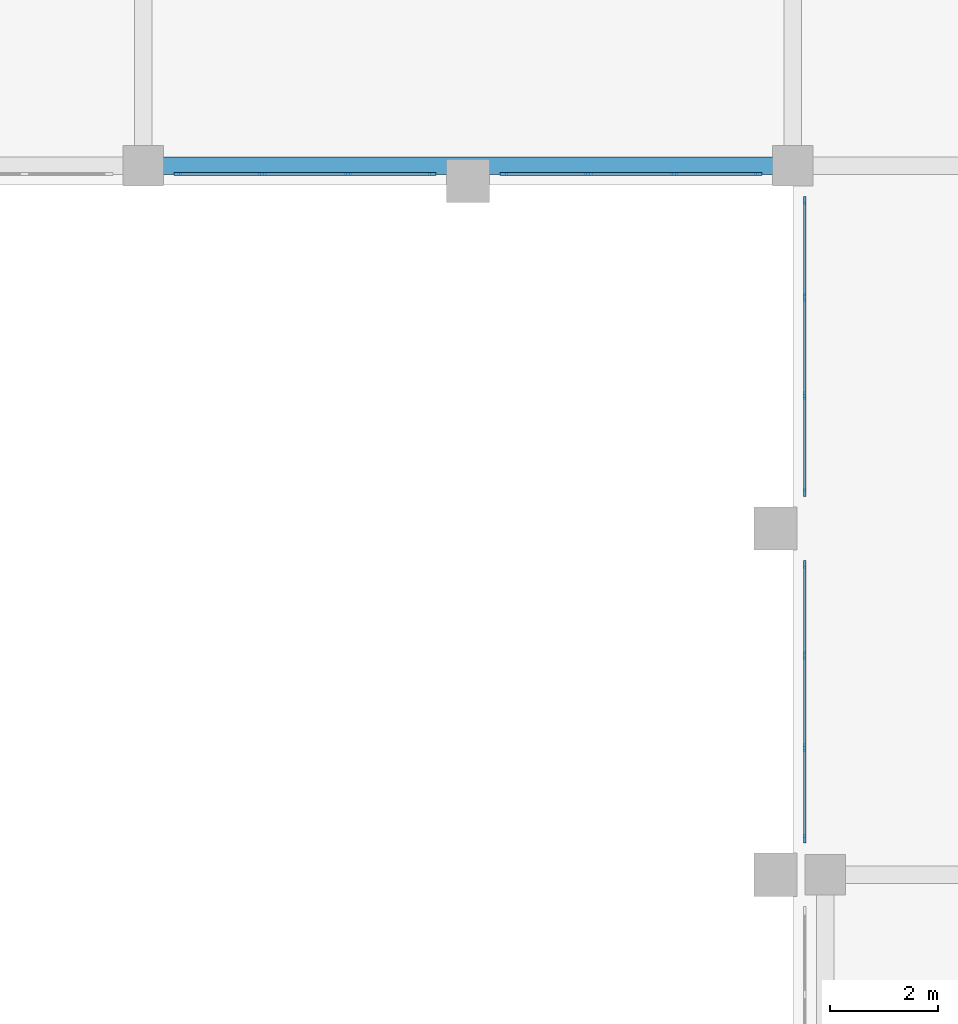
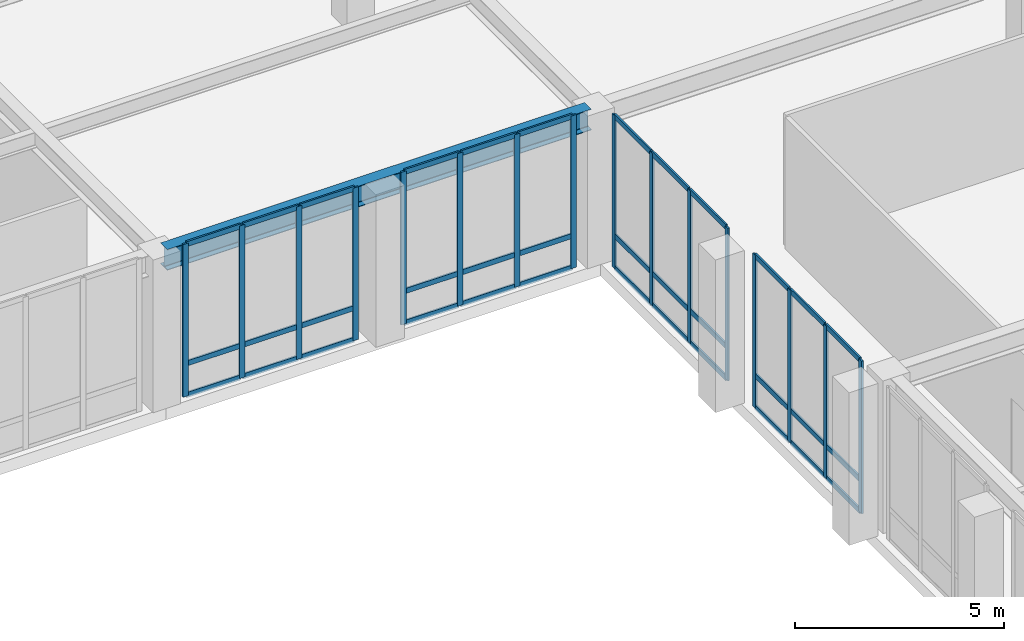
# One storey, part 39 of 79: 52 members, 1 beam, 4 elements without a shape of their own.
"""IFC4 building model written with IfcOpenShell, lengths in metres."""

from ifc_helpers import new_model, si_unit, derived_unit, direction, frame, origin, origin_2d, place, context, subcontext, project, spatial, rectangle, i_section, extrude, material, layer, layer_set, material_profile, profile_set, type_object, element, aggregate, save


model = new_model("IFC4")

# Units and contexts
model_context = context("Model", 3, precision=1e-05, world=origin(), true_north=direction((0.0, 1.0)))
body_context = subcontext(model_context, "Body", "Model", "MODEL_VIEW")
ifc_project = project(units=[si_unit("LENGTHUNIT", "METRE"), si_unit("AREAUNIT", "SQUARE_METRE"), si_unit("VOLUMEUNIT", "CUBIC_METRE"), si_unit("PLANEANGLEUNIT", "RADIAN"), si_unit("MASSUNIT", "GRAM", prefix="KILO"), derived_unit("THERMALTRANSMITTANCEUNIT", [(si_unit("MASSUNIT", "GRAM", prefix="KILO"), 1), (si_unit("TIMEUNIT", "SECOND"), -3), (si_unit("THERMODYNAMICTEMPERATUREUNIT", "KELVIN"), -1)])], contexts=[model_context])

# Site, building, storey
site_placement = place(None, origin())
site = spatial("IfcSite", under=ifc_project, at=site_placement, CompositionType="ELEMENT")
building_placement = place(site_placement, origin())
building = spatial("IfcBuilding", under=site, at=building_placement, Name="Valcora Ridge Arena", CompositionType="ELEMENT")
storey_placement = place(building_placement, frame((0.0, 0.0, 16.199951171875)))
storey = spatial("IfcBuildingStorey", under=building, at=storey_placement, Name="L03", CompositionType="ELEMENT", Elevation=16.199951171875)

# Beam
ifc_material_1 = material(Name="Steel ASTM A572 Grade 50", Category="steel")
ifc_material_profile_1 = material_profile(ifc_material_1, i_section(OverallWidth=0.324951171875, OverallDepth=0.612060546875, WebThickness=0.0126953125, FlangeThickness=0.01904296875, FilletRadius=0.01806640625, at=origin_2d()), Name="W24X104")
ifc_profile_set_1 = profile_set([ifc_material_profile_1], Name="Steel ASTM A572 Grade 50")
beam_type = type_object("IfcBeamType", Name="TY-BEAM-G-W24X104-X", PredefinedType="BEAM", material=ifc_profile_set_1)
beam_placement = place(storey_placement, frame((144.139892578125, 108.699951171875, 4.154052734375), z_axis=(1.0, 0.0, 0.0), x_axis=(0.0, 1.0, 0.0)))
element("IfcBeam", 1, at=beam_placement, inside=storey, type_object=beam_type, Name="G-W24X104-X BEM-G-W24X104-X-0107", PredefinedType="BEAM", context=body_context, shape_type="SweptSolid", body=[
    extrude(i_section(OverallWidth=0.324951171875, OverallDepth=0.612060546875, WebThickness=0.0126953125, FlangeThickness=0.01904296875, FilletRadius=0.01806640625, at=origin_2d()), origin(), (0.0, 0.0, 1.0), 11.72021484375),
])

# Curtain wall, members
ifc_material_2 = material(Name="Anodised dark bronze architectural aluminium 6063-T6", Category="aluminium")
ifc_layer_1 = layer(ifc_material_2, 0.14990234375, Name="Anodised dark bronze architectural aluminium 6063-T6")
ifc_layer_set_1 = layer_set([ifc_layer_1], Name="Anodised dark bronze architectural aluminium 6063-T6")
curtain_wall_type_1 = type_object("IfcCurtainWallType", Name="TY-CURTAINWALL-CW-V5-MED-047X45", PredefinedType="NOTDEFINED", material=ifc_layer_set_1)
curtain_wall_1_placement = place(storey_placement, origin())
curtain_wall_1 = element("IfcCurtainWall", 2, at=curtain_wall_1_placement, inside=storey, type_object=curtain_wall_type_1, Name="CW-V5-MED-047X45 CW-0340", PredefinedType="NOTDEFINED")
ifc_material_profile_2 = material_profile(ifc_material_2, rectangle(XDim=0.050048828125, YDim=0.14990234375, at=origin_2d()), Name="ALU MULLION 50x150")
ifc_profile_set_2 = profile_set([ifc_material_profile_2], Name="Anodised dark bronze architectural aluminium 6063-T6")
member_type_1 = type_object("IfcMemberType", Name="TY-MEM-CWM-50x150", PredefinedType="MULLION", material=ifc_profile_set_2)
member_1_placement = place(storey_placement, frame((144.639892578125, 108.550048828125, 0.0), z_axis=(0.0, 0.0, 1.0), x_axis=(0.0, 1.0, 0.0)))
member_1 = element("IfcMember", 3, at=member_1_placement, type_object=member_type_1, Name="CW-0340/CWM-50x150/M00", PredefinedType="MULLION", context=body_context, shape_type="SweptSolid", body=[
    extrude(rectangle(XDim=0.050048828125, YDim=0.14990234375, at=origin_2d()), origin(), (0.0, 0.0, 1.0), 4.4599609375),
])
member_2_placement = place(storey_placement, frame((146.19677734375, 108.550048828125, 0.0), z_axis=(0.0, 0.0, 1.0), x_axis=(0.0, 1.0, 0.0)))
member_2 = element("IfcMember", 4, at=member_2_placement, type_object=member_type_1, Name="CW-0340/CWM-50x150/M01", PredefinedType="MULLION", context=body_context, shape_type="SweptSolid", body=[
    extrude(rectangle(XDim=0.050048828125, YDim=0.14990234375, at=origin_2d()), origin(), (0.0, 0.0, 1.0), 4.4599609375),
])
member_3_placement = place(storey_placement, frame((147.7783203125, 108.550048828125, 0.0), z_axis=(0.0, 0.0, 1.0), x_axis=(0.0, 1.0, 0.0)))
member_3 = element("IfcMember", 5, at=member_3_placement, type_object=member_type_1, Name="CW-0340/CWM-50x150/M02", PredefinedType="MULLION", context=body_context, shape_type="SweptSolid", body=[
    extrude(rectangle(XDim=0.050048828125, YDim=0.14990234375, at=origin_2d()), origin(), (0.0, 0.0, 1.0), 4.4599609375),
])
member_4_placement = place(storey_placement, frame((149.3349609375, 108.550048828125, 0.0), z_axis=(0.0, 0.0, 1.0), x_axis=(0.0, 1.0, 0.0)))
member_4 = element("IfcMember", 6, at=member_4_placement, type_object=member_type_1, Name="CW-0340/CWM-50x150/M03", PredefinedType="MULLION", context=body_context, shape_type="SweptSolid", body=[
    extrude(rectangle(XDim=0.050048828125, YDim=0.14990234375, at=origin_2d()), origin(), (0.0, 0.0, 1.0), 4.4599609375),
])

curtain_wall_2_placement = place(storey_placement, origin())
curtain_wall_2 = element("IfcCurtainWall", 7, at=curtain_wall_2_placement, inside=storey, type_object=curtain_wall_type_1, Name="CW-V5-MED-047X45 CW-0341", PredefinedType="NOTDEFINED")
member_5_placement = place(storey_placement, frame((150.6650390625, 108.550048828125, 0.0), z_axis=(0.0, 0.0, 1.0), x_axis=(0.0, 1.0, 0.0)))
member_5 = element("IfcMember", 8, at=member_5_placement, type_object=member_type_1, Name="CW-0341/CWM-50x150/M00", PredefinedType="MULLION", context=body_context, shape_type="SweptSolid", body=[
    extrude(rectangle(XDim=0.050048828125, YDim=0.14990234375, at=origin_2d()), origin(), (0.0, 0.0, 1.0), 4.4599609375),
])
member_6_placement = place(storey_placement, frame((152.2216796875, 108.550048828125, 0.0), z_axis=(0.0, 0.0, 1.0), x_axis=(0.0, 1.0, 0.0)))
member_6 = element("IfcMember", 9, at=member_6_placement, type_object=member_type_1, Name="CW-0341/CWM-50x150/M01", PredefinedType="MULLION", context=body_context, shape_type="SweptSolid", body=[
    extrude(rectangle(XDim=0.050048828125, YDim=0.14990234375, at=origin_2d()), origin(), (0.0, 0.0, 1.0), 4.4599609375),
])
member_7_placement = place(storey_placement, frame((153.80322265625, 108.550048828125, 0.0), z_axis=(0.0, 0.0, 1.0), x_axis=(0.0, 1.0, 0.0)))
member_7 = element("IfcMember", 10, at=member_7_placement, type_object=member_type_1, Name="CW-0341/CWM-50x150/M02", PredefinedType="MULLION", context=body_context, shape_type="SweptSolid", body=[
    extrude(rectangle(XDim=0.050048828125, YDim=0.14990234375, at=origin_2d()), origin(), (0.0, 0.0, 1.0), 4.4599609375),
])
member_8_placement = place(storey_placement, frame((155.360107421875, 108.550048828125, 0.0), z_axis=(0.0, 0.0, 1.0), x_axis=(0.0, 1.0, 0.0)))
member_8 = element("IfcMember", 11, at=member_8_placement, type_object=member_type_1, Name="CW-0341/CWM-50x150/M03", PredefinedType="MULLION", context=body_context, shape_type="SweptSolid", body=[
    extrude(rectangle(XDim=0.050048828125, YDim=0.14990234375, at=origin_2d()), origin(), (0.0, 0.0, 1.0), 4.4599609375),
])

ifc_layer_2 = layer(ifc_material_2, 0.14990234375, Name="Anodised dark bronze architectural aluminium 6063-T6")
ifc_layer_set_2 = layer_set([ifc_layer_2], Name="Anodised dark bronze architectural aluminium 6063-T6")
curtain_wall_type_2 = type_object("IfcCurtainWallType", Name="TY-CURTAINWALL-CW-V5-MED-051X45", PredefinedType="NOTDEFINED", material=ifc_layer_set_2)
curtain_wall_3_placement = place(storey_placement, origin())
curtain_wall_3 = element("IfcCurtainWall", 12, at=curtain_wall_3_placement, inside=storey, type_object=curtain_wall_type_2, Name="CW-V5-MED-051X45 CW-0344", PredefinedType="NOTDEFINED")
member_9_placement = place(storey_placement, frame((156.219970703125, 96.264892578125, 0.0), z_axis=(0.0, 0.0, 1.0), x_axis=(-1.0, 0.0, 0.0)))
member_9 = element("IfcMember", 13, at=member_9_placement, type_object=member_type_1, Name="CW-0344/CWM-50x150/M00", PredefinedType="MULLION", context=body_context, shape_type="SweptSolid", body=[
    extrude(rectangle(XDim=0.050048828125, YDim=0.14990234375, at=origin_2d()), origin(), (0.0, 0.0, 1.0), 4.4599609375),
])
member_10_placement = place(storey_placement, frame((156.219970703125, 97.94677734375, 0.0), z_axis=(0.0, 0.0, 1.0), x_axis=(-1.0, 0.0, 0.0)))
member_10 = element("IfcMember", 14, at=member_10_placement, type_object=member_type_1, Name="CW-0344/CWM-50x150/M01", PredefinedType="MULLION", context=body_context, shape_type="SweptSolid", body=[
    extrude(rectangle(XDim=0.050048828125, YDim=0.14990234375, at=origin_2d()), origin(), (0.0, 0.0, 1.0), 4.4599609375),
])
member_11_placement = place(storey_placement, frame((156.219970703125, 99.6533203125, 0.0), z_axis=(0.0, 0.0, 1.0), x_axis=(-1.0, 0.0, 0.0)))
member_11 = element("IfcMember", 15, at=member_11_placement, type_object=member_type_1, Name="CW-0344/CWM-50x150/M02", PredefinedType="MULLION", context=body_context, shape_type="SweptSolid", body=[
    extrude(rectangle(XDim=0.050048828125, YDim=0.14990234375, at=origin_2d()), origin(), (0.0, 0.0, 1.0), 4.4599609375),
])
member_12_placement = place(storey_placement, frame((156.219970703125, 101.3349609375, 0.0), z_axis=(0.0, 0.0, 1.0), x_axis=(-1.0, 0.0, 0.0)))
member_12 = element("IfcMember", 16, at=member_12_placement, type_object=member_type_1, Name="CW-0344/CWM-50x150/M03", PredefinedType="MULLION", context=body_context, shape_type="SweptSolid", body=[
    extrude(rectangle(XDim=0.050048828125, YDim=0.14990234375, at=origin_2d()), origin(), (0.0, 0.0, 1.0), 4.4599609375),
])

ifc_layer_3 = layer(ifc_material_2, 0.14990234375, Name="Anodised dark bronze architectural aluminium 6063-T6")
ifc_layer_set_3 = layer_set([ifc_layer_3], Name="Anodised dark bronze architectural aluminium 6063-T6")
curtain_wall_type_3 = type_object("IfcCurtainWallType", Name="TY-CURTAINWALL-CW-V5-MED-054X45", PredefinedType="NOTDEFINED", material=ifc_layer_set_3)
curtain_wall_4_placement = place(storey_placement, origin())
curtain_wall_4 = element("IfcCurtainWall", 17, at=curtain_wall_4_placement, inside=storey, type_object=curtain_wall_type_3, Name="CW-V5-MED-054X45 CW-0345", PredefinedType="NOTDEFINED")
member_13_placement = place(storey_placement, frame((156.219970703125, 102.6650390625, 0.0), z_axis=(0.0, 0.0, 1.0), x_axis=(-1.0, 0.0, 0.0)))
member_13 = element("IfcMember", 18, at=member_13_placement, type_object=member_type_1, Name="CW-0345/CWM-50x150/M00", PredefinedType="MULLION", context=body_context, shape_type="SweptSolid", body=[
    extrude(rectangle(XDim=0.050048828125, YDim=0.14990234375, at=origin_2d()), origin(), (0.0, 0.0, 1.0), 4.4599609375),
])
member_14_placement = place(storey_placement, frame((156.219970703125, 104.455078125, 0.0), z_axis=(0.0, 0.0, 1.0), x_axis=(-1.0, 0.0, 0.0)))
member_14 = element("IfcMember", 19, at=member_14_placement, type_object=member_type_1, Name="CW-0345/CWM-50x150/M01", PredefinedType="MULLION", context=body_context, shape_type="SweptSolid", body=[
    extrude(rectangle(XDim=0.050048828125, YDim=0.14990234375, at=origin_2d()), origin(), (0.0, 0.0, 1.0), 4.4599609375),
])
member_15_placement = place(storey_placement, frame((156.219970703125, 106.27001953125, 0.0), z_axis=(0.0, 0.0, 1.0), x_axis=(-1.0, 0.0, 0.0)))
member_15 = element("IfcMember", 20, at=member_15_placement, type_object=member_type_1, Name="CW-0345/CWM-50x150/M02", PredefinedType="MULLION", context=body_context, shape_type="SweptSolid", body=[
    extrude(rectangle(XDim=0.050048828125, YDim=0.14990234375, at=origin_2d()), origin(), (0.0, 0.0, 1.0), 4.4599609375),
])
member_16_placement = place(storey_placement, frame((156.219970703125, 108.06005859375, 0.0), z_axis=(0.0, 0.0, 1.0), x_axis=(-1.0, 0.0, 0.0)))
member_16 = element("IfcMember", 21, at=member_16_placement, type_object=member_type_1, Name="CW-0345/CWM-50x150/M03", PredefinedType="MULLION", context=body_context, shape_type="SweptSolid", body=[
    extrude(rectangle(XDim=0.050048828125, YDim=0.14990234375, at=origin_2d()), origin(), (0.0, 0.0, 1.0), 4.4599609375),
])

# Member
ifc_material_profile_3 = material_profile(ifc_material_2, rectangle(XDim=0.050048828125, YDim=0.14990234375, at=origin_2d()), Name="ALU TRANSOM 50x150")
ifc_profile_set_3 = profile_set([ifc_material_profile_3], Name="Anodised dark bronze architectural aluminium 6063-T6")
member_type_2 = type_object("IfcMemberType", Name="TY-MEM-CWT-50x150", PredefinedType="USERDEFINED", material=ifc_profile_set_3)
member_17_placement = place(storey_placement, frame((144.6650390625, 108.550048828125, 0.025146484375), z_axis=(1.0, 0.0, 0.0), x_axis=(0.0, 1.0, 0.0)))
member_17 = element("IfcMember", 22, at=member_17_placement, type_object=member_type_2, Name="CW-0340/CWT-50x150/T00-00", ObjectType="TRANSOM", PredefinedType="USERDEFINED", context=body_context, shape_type="SweptSolid", body=[
    extrude(rectangle(XDim=0.050048828125, YDim=0.14990234375, at=origin_2d()), origin(), (0.0, 0.0, 1.0), 1.507080078125),
])

member_18_placement = place(storey_placement, frame((144.6650390625, 108.550048828125, 0.949951171875), z_axis=(1.0, 0.0, 0.0), x_axis=(0.0, 1.0, 0.0)))
member_18 = element("IfcMember", 23, at=member_18_placement, type_object=member_type_2, Name="CW-0340/CWT-50x150/T00-01", ObjectType="TRANSOM", PredefinedType="USERDEFINED", context=body_context, shape_type="SweptSolid", body=[
    extrude(rectangle(XDim=0.050048828125, YDim=0.14990234375, at=origin_2d()), origin(), (0.0, 0.0, 1.0), 1.507080078125),
])

member_19_placement = place(storey_placement, frame((144.6650390625, 108.550048828125, 4.43505859375), z_axis=(1.0, 0.0, 0.0), x_axis=(0.0, 1.0, 0.0)))
member_19 = element("IfcMember", 24, at=member_19_placement, type_object=member_type_2, Name="CW-0340/CWT-50x150/T00-02", ObjectType="TRANSOM", PredefinedType="USERDEFINED", context=body_context, shape_type="SweptSolid", body=[
    extrude(rectangle(XDim=0.050048828125, YDim=0.14990234375, at=origin_2d()), origin(), (0.0, 0.0, 1.0), 1.507080078125),
])

member_20_placement = place(storey_placement, frame((146.221923828125, 108.550048828125, 0.025146484375), z_axis=(1.0, 0.0, 0.0), x_axis=(0.0, 1.0, 0.0)))
member_20 = element("IfcMember", 25, at=member_20_placement, type_object=member_type_2, Name="CW-0340/CWT-50x150/T01-00", ObjectType="TRANSOM", PredefinedType="USERDEFINED", context=body_context, shape_type="SweptSolid", body=[
    extrude(rectangle(XDim=0.050048828125, YDim=0.14990234375, at=origin_2d()), origin(), (0.0, 0.0, 1.0), 1.531005859375),
])

member_21_placement = place(storey_placement, frame((146.221923828125, 108.550048828125, 0.949951171875), z_axis=(1.0, 0.0, 0.0), x_axis=(0.0, 1.0, 0.0)))
member_21 = element("IfcMember", 26, at=member_21_placement, type_object=member_type_2, Name="CW-0340/CWT-50x150/T01-01", ObjectType="TRANSOM", PredefinedType="USERDEFINED", context=body_context, shape_type="SweptSolid", body=[
    extrude(rectangle(XDim=0.050048828125, YDim=0.14990234375, at=origin_2d()), origin(), (0.0, 0.0, 1.0), 1.531005859375),
])

member_22_placement = place(storey_placement, frame((146.221923828125, 108.550048828125, 4.43505859375), z_axis=(1.0, 0.0, 0.0), x_axis=(0.0, 1.0, 0.0)))
member_22 = element("IfcMember", 27, at=member_22_placement, type_object=member_type_2, Name="CW-0340/CWT-50x150/T01-02", ObjectType="TRANSOM", PredefinedType="USERDEFINED", context=body_context, shape_type="SweptSolid", body=[
    extrude(rectangle(XDim=0.050048828125, YDim=0.14990234375, at=origin_2d()), origin(), (0.0, 0.0, 1.0), 1.531005859375),
])

member_23_placement = place(storey_placement, frame((147.802978515625, 108.550048828125, 0.025146484375), z_axis=(1.0, 0.0, 0.0), x_axis=(0.0, 1.0, 0.0)))
member_23 = element("IfcMember", 28, at=member_23_placement, type_object=member_type_2, Name="CW-0340/CWT-50x150/T02-00", ObjectType="TRANSOM", PredefinedType="USERDEFINED", context=body_context, shape_type="SweptSolid", body=[
    extrude(rectangle(XDim=0.050048828125, YDim=0.14990234375, at=origin_2d()), origin(), (0.0, 0.0, 1.0), 1.507080078125),
])

member_24_placement = place(storey_placement, frame((147.802978515625, 108.550048828125, 0.949951171875), z_axis=(1.0, 0.0, 0.0), x_axis=(0.0, 1.0, 0.0)))
member_24 = element("IfcMember", 29, at=member_24_placement, type_object=member_type_2, Name="CW-0340/CWT-50x150/T02-01", ObjectType="TRANSOM", PredefinedType="USERDEFINED", context=body_context, shape_type="SweptSolid", body=[
    extrude(rectangle(XDim=0.050048828125, YDim=0.14990234375, at=origin_2d()), origin(), (0.0, 0.0, 1.0), 1.507080078125),
])

member_25_placement = place(storey_placement, frame((147.802978515625, 108.550048828125, 4.43505859375), z_axis=(1.0, 0.0, 0.0), x_axis=(0.0, 1.0, 0.0)))
member_25 = element("IfcMember", 30, at=member_25_placement, type_object=member_type_2, Name="CW-0340/CWT-50x150/T02-02", ObjectType="TRANSOM", PredefinedType="USERDEFINED", context=body_context, shape_type="SweptSolid", body=[
    extrude(rectangle(XDim=0.050048828125, YDim=0.14990234375, at=origin_2d()), origin(), (0.0, 0.0, 1.0), 1.507080078125),
])

aggregate(curtain_wall_1, [member_1, member_2, member_3, member_4, member_17, member_18, member_19, member_20, member_21, member_22, member_23, member_24, member_25])

member_26_placement = place(storey_placement, frame((150.68994140625, 108.550048828125, 0.025146484375), z_axis=(1.0, 0.0, 0.0), x_axis=(0.0, 1.0, 0.0)))
member_26 = element("IfcMember", 31, at=member_26_placement, type_object=member_type_2, Name="CW-0341/CWT-50x150/T00-00", ObjectType="TRANSOM", PredefinedType="USERDEFINED", context=body_context, shape_type="SweptSolid", body=[
    extrude(rectangle(XDim=0.050048828125, YDim=0.14990234375, at=origin_2d()), origin(), (0.0, 0.0, 1.0), 1.507080078125),
])

member_27_placement = place(storey_placement, frame((150.68994140625, 108.550048828125, 0.949951171875), z_axis=(1.0, 0.0, 0.0), x_axis=(0.0, 1.0, 0.0)))
member_27 = element("IfcMember", 32, at=member_27_placement, type_object=member_type_2, Name="CW-0341/CWT-50x150/T00-01", ObjectType="TRANSOM", PredefinedType="USERDEFINED", context=body_context, shape_type="SweptSolid", body=[
    extrude(rectangle(XDim=0.050048828125, YDim=0.14990234375, at=origin_2d()), origin(), (0.0, 0.0, 1.0), 1.507080078125),
])

member_28_placement = place(storey_placement, frame((150.68994140625, 108.550048828125, 4.43505859375), z_axis=(1.0, 0.0, 0.0), x_axis=(0.0, 1.0, 0.0)))
member_28 = element("IfcMember", 33, at=member_28_placement, type_object=member_type_2, Name="CW-0341/CWT-50x150/T00-02", ObjectType="TRANSOM", PredefinedType="USERDEFINED", context=body_context, shape_type="SweptSolid", body=[
    extrude(rectangle(XDim=0.050048828125, YDim=0.14990234375, at=origin_2d()), origin(), (0.0, 0.0, 1.0), 1.507080078125),
])

member_29_placement = place(storey_placement, frame((152.2470703125, 108.550048828125, 0.025146484375), z_axis=(1.0, 0.0, 0.0), x_axis=(0.0, 1.0, 0.0)))
member_29 = element("IfcMember", 34, at=member_29_placement, type_object=member_type_2, Name="CW-0341/CWT-50x150/T01-00", ObjectType="TRANSOM", PredefinedType="USERDEFINED", context=body_context, shape_type="SweptSolid", body=[
    extrude(rectangle(XDim=0.050048828125, YDim=0.14990234375, at=origin_2d()), origin(), (0.0, 0.0, 1.0), 1.531005859375),
])

member_30_placement = place(storey_placement, frame((152.2470703125, 108.550048828125, 0.949951171875), z_axis=(1.0, 0.0, 0.0), x_axis=(0.0, 1.0, 0.0)))
member_30 = element("IfcMember", 35, at=member_30_placement, type_object=member_type_2, Name="CW-0341/CWT-50x150/T01-01", ObjectType="TRANSOM", PredefinedType="USERDEFINED", context=body_context, shape_type="SweptSolid", body=[
    extrude(rectangle(XDim=0.050048828125, YDim=0.14990234375, at=origin_2d()), origin(), (0.0, 0.0, 1.0), 1.531005859375),
])

member_31_placement = place(storey_placement, frame((152.2470703125, 108.550048828125, 4.43505859375), z_axis=(1.0, 0.0, 0.0), x_axis=(0.0, 1.0, 0.0)))
member_31 = element("IfcMember", 36, at=member_31_placement, type_object=member_type_2, Name="CW-0341/CWT-50x150/T01-02", ObjectType="TRANSOM", PredefinedType="USERDEFINED", context=body_context, shape_type="SweptSolid", body=[
    extrude(rectangle(XDim=0.050048828125, YDim=0.14990234375, at=origin_2d()), origin(), (0.0, 0.0, 1.0), 1.531005859375),
])

member_32_placement = place(storey_placement, frame((153.827880859375, 108.550048828125, 0.025146484375), z_axis=(1.0, 0.0, 0.0), x_axis=(0.0, 1.0, 0.0)))
member_32 = element("IfcMember", 37, at=member_32_placement, type_object=member_type_2, Name="CW-0341/CWT-50x150/T02-00", ObjectType="TRANSOM", PredefinedType="USERDEFINED", context=body_context, shape_type="SweptSolid", body=[
    extrude(rectangle(XDim=0.050048828125, YDim=0.14990234375, at=origin_2d()), origin(), (0.0, 0.0, 1.0), 1.507080078125),
])

member_33_placement = place(storey_placement, frame((153.827880859375, 108.550048828125, 0.949951171875), z_axis=(1.0, 0.0, 0.0), x_axis=(0.0, 1.0, 0.0)))
member_33 = element("IfcMember", 38, at=member_33_placement, type_object=member_type_2, Name="CW-0341/CWT-50x150/T02-01", ObjectType="TRANSOM", PredefinedType="USERDEFINED", context=body_context, shape_type="SweptSolid", body=[
    extrude(rectangle(XDim=0.050048828125, YDim=0.14990234375, at=origin_2d()), origin(), (0.0, 0.0, 1.0), 1.507080078125),
])

member_34_placement = place(storey_placement, frame((153.827880859375, 108.550048828125, 4.43505859375), z_axis=(1.0, 0.0, 0.0), x_axis=(0.0, 1.0, 0.0)))
member_34 = element("IfcMember", 39, at=member_34_placement, type_object=member_type_2, Name="CW-0341/CWT-50x150/T02-02", ObjectType="TRANSOM", PredefinedType="USERDEFINED", context=body_context, shape_type="SweptSolid", body=[
    extrude(rectangle(XDim=0.050048828125, YDim=0.14990234375, at=origin_2d()), origin(), (0.0, 0.0, 1.0), 1.507080078125),
])

aggregate(curtain_wall_2, [member_5, member_6, member_7, member_8, member_26, member_27, member_28, member_29, member_30, member_31, member_32, member_33, member_34])

member_35_placement = place(storey_placement, frame((156.219970703125, 96.2900390625, 0.025146484375), z_axis=(0.0, 1.0, 0.0), x_axis=(-1.0, 0.0, 0.0)))
member_35 = element("IfcMember", 40, at=member_35_placement, type_object=member_type_2, Name="CW-0344/CWT-50x150/T00-00", ObjectType="TRANSOM", PredefinedType="USERDEFINED", context=body_context, shape_type="SweptSolid", body=[
    extrude(rectangle(XDim=0.050048828125, YDim=0.14990234375, at=origin_2d()), origin(), (0.0, 0.0, 1.0), 1.632080078125),
])

member_36_placement = place(storey_placement, frame((156.219970703125, 96.2900390625, 0.949951171875), z_axis=(0.0, 1.0, 0.0), x_axis=(-1.0, 0.0, 0.0)))
member_36 = element("IfcMember", 41, at=member_36_placement, type_object=member_type_2, Name="CW-0344/CWT-50x150/T00-01", ObjectType="TRANSOM", PredefinedType="USERDEFINED", context=body_context, shape_type="SweptSolid", body=[
    extrude(rectangle(XDim=0.050048828125, YDim=0.14990234375, at=origin_2d()), origin(), (0.0, 0.0, 1.0), 1.632080078125),
])

member_37_placement = place(storey_placement, frame((156.219970703125, 96.2900390625, 4.43505859375), z_axis=(0.0, 1.0, 0.0), x_axis=(-1.0, 0.0, 0.0)))
member_37 = element("IfcMember", 42, at=member_37_placement, type_object=member_type_2, Name="CW-0344/CWT-50x150/T00-02", ObjectType="TRANSOM", PredefinedType="USERDEFINED", context=body_context, shape_type="SweptSolid", body=[
    extrude(rectangle(XDim=0.050048828125, YDim=0.14990234375, at=origin_2d()), origin(), (0.0, 0.0, 1.0), 1.632080078125),
])

member_38_placement = place(storey_placement, frame((156.219970703125, 97.971923828125, 0.025146484375), z_axis=(0.0, 1.0, 0.0), x_axis=(-1.0, 0.0, 0.0)))
member_38 = element("IfcMember", 43, at=member_38_placement, type_object=member_type_2, Name="CW-0344/CWT-50x150/T01-00", ObjectType="TRANSOM", PredefinedType="USERDEFINED", context=body_context, shape_type="SweptSolid", body=[
    extrude(rectangle(XDim=0.050048828125, YDim=0.14990234375, at=origin_2d()), origin(), (0.0, 0.0, 1.0), 1.656005859375),
])

member_39_placement = place(storey_placement, frame((156.219970703125, 97.971923828125, 0.949951171875), z_axis=(0.0, 1.0, 0.0), x_axis=(-1.0, 0.0, 0.0)))
member_39 = element("IfcMember", 44, at=member_39_placement, type_object=member_type_2, Name="CW-0344/CWT-50x150/T01-01", ObjectType="TRANSOM", PredefinedType="USERDEFINED", context=body_context, shape_type="SweptSolid", body=[
    extrude(rectangle(XDim=0.050048828125, YDim=0.14990234375, at=origin_2d()), origin(), (0.0, 0.0, 1.0), 1.656005859375),
])

member_40_placement = place(storey_placement, frame((156.219970703125, 97.971923828125, 4.43505859375), z_axis=(0.0, 1.0, 0.0), x_axis=(-1.0, 0.0, 0.0)))
member_40 = element("IfcMember", 45, at=member_40_placement, type_object=member_type_2, Name="CW-0344/CWT-50x150/T01-02", ObjectType="TRANSOM", PredefinedType="USERDEFINED", context=body_context, shape_type="SweptSolid", body=[
    extrude(rectangle(XDim=0.050048828125, YDim=0.14990234375, at=origin_2d()), origin(), (0.0, 0.0, 1.0), 1.656005859375),
])

member_41_placement = place(storey_placement, frame((156.219970703125, 99.677978515625, 0.025146484375), z_axis=(0.0, 1.0, 0.0), x_axis=(-1.0, 0.0, 0.0)))
member_41 = element("IfcMember", 46, at=member_41_placement, type_object=member_type_2, Name="CW-0344/CWT-50x150/T02-00", ObjectType="TRANSOM", PredefinedType="USERDEFINED", context=body_context, shape_type="SweptSolid", body=[
    extrude(rectangle(XDim=0.050048828125, YDim=0.14990234375, at=origin_2d()), origin(), (0.0, 0.0, 1.0), 1.632080078125),
])

member_42_placement = place(storey_placement, frame((156.219970703125, 99.677978515625, 0.949951171875), z_axis=(0.0, 1.0, 0.0), x_axis=(-1.0, 0.0, 0.0)))
member_42 = element("IfcMember", 47, at=member_42_placement, type_object=member_type_2, Name="CW-0344/CWT-50x150/T02-01", ObjectType="TRANSOM", PredefinedType="USERDEFINED", context=body_context, shape_type="SweptSolid", body=[
    extrude(rectangle(XDim=0.050048828125, YDim=0.14990234375, at=origin_2d()), origin(), (0.0, 0.0, 1.0), 1.632080078125),
])

member_43_placement = place(storey_placement, frame((156.219970703125, 99.677978515625, 4.43505859375), z_axis=(0.0, 1.0, 0.0), x_axis=(-1.0, 0.0, 0.0)))
member_43 = element("IfcMember", 48, at=member_43_placement, type_object=member_type_2, Name="CW-0344/CWT-50x150/T02-02", ObjectType="TRANSOM", PredefinedType="USERDEFINED", context=body_context, shape_type="SweptSolid", body=[
    extrude(rectangle(XDim=0.050048828125, YDim=0.14990234375, at=origin_2d()), origin(), (0.0, 0.0, 1.0), 1.632080078125),
])

aggregate(curtain_wall_3, [member_9, member_10, member_11, member_12, member_35, member_36, member_37, member_38, member_39, member_40, member_41, member_42, member_43])

member_44_placement = place(storey_placement, frame((156.219970703125, 102.68994140625, 0.025146484375), z_axis=(0.0, 1.0, 0.0), x_axis=(-1.0, 0.0, 0.0)))
member_44 = element("IfcMember", 49, at=member_44_placement, type_object=member_type_2, Name="CW-0345/CWT-50x150/T00-00", ObjectType="TRANSOM", PredefinedType="USERDEFINED", context=body_context, shape_type="SweptSolid", body=[
    extrude(rectangle(XDim=0.050048828125, YDim=0.14990234375, at=origin_2d()), origin(), (0.0, 0.0, 1.0), 1.739990234375),
])

member_45_placement = place(storey_placement, frame((156.219970703125, 102.68994140625, 0.949951171875), z_axis=(0.0, 1.0, 0.0), x_axis=(-1.0, 0.0, 0.0)))
member_45 = element("IfcMember", 50, at=member_45_placement, type_object=member_type_2, Name="CW-0345/CWT-50x150/T00-01", ObjectType="TRANSOM", PredefinedType="USERDEFINED", context=body_context, shape_type="SweptSolid", body=[
    extrude(rectangle(XDim=0.050048828125, YDim=0.14990234375, at=origin_2d()), origin(), (0.0, 0.0, 1.0), 1.739990234375),
])

member_46_placement = place(storey_placement, frame((156.219970703125, 102.68994140625, 4.43505859375), z_axis=(0.0, 1.0, 0.0), x_axis=(-1.0, 0.0, 0.0)))
member_46 = element("IfcMember", 51, at=member_46_placement, type_object=member_type_2, Name="CW-0345/CWT-50x150/T00-02", ObjectType="TRANSOM", PredefinedType="USERDEFINED", context=body_context, shape_type="SweptSolid", body=[
    extrude(rectangle(XDim=0.050048828125, YDim=0.14990234375, at=origin_2d()), origin(), (0.0, 0.0, 1.0), 1.739990234375),
])

member_47_placement = place(storey_placement, frame((156.219970703125, 104.47998046875, 0.025146484375), z_axis=(0.0, 1.0, 0.0), x_axis=(-1.0, 0.0, 0.0)))
member_47 = element("IfcMember", 52, at=member_47_placement, type_object=member_type_2, Name="CW-0345/CWT-50x150/T01-00", ObjectType="TRANSOM", PredefinedType="USERDEFINED", context=body_context, shape_type="SweptSolid", body=[
    extrude(rectangle(XDim=0.050048828125, YDim=0.14990234375, at=origin_2d()), origin(), (0.0, 0.0, 1.0), 1.76513671875),
])

member_48_placement = place(storey_placement, frame((156.219970703125, 104.47998046875, 0.949951171875), z_axis=(0.0, 1.0, 0.0), x_axis=(-1.0, 0.0, 0.0)))
member_48 = element("IfcMember", 53, at=member_48_placement, type_object=member_type_2, Name="CW-0345/CWT-50x150/T01-01", ObjectType="TRANSOM", PredefinedType="USERDEFINED", context=body_context, shape_type="SweptSolid", body=[
    extrude(rectangle(XDim=0.050048828125, YDim=0.14990234375, at=origin_2d()), origin(), (0.0, 0.0, 1.0), 1.76513671875),
])

member_49_placement = place(storey_placement, frame((156.219970703125, 104.47998046875, 4.43505859375), z_axis=(0.0, 1.0, 0.0), x_axis=(-1.0, 0.0, 0.0)))
member_49 = element("IfcMember", 54, at=member_49_placement, type_object=member_type_2, Name="CW-0345/CWT-50x150/T01-02", ObjectType="TRANSOM", PredefinedType="USERDEFINED", context=body_context, shape_type="SweptSolid", body=[
    extrude(rectangle(XDim=0.050048828125, YDim=0.14990234375, at=origin_2d()), origin(), (0.0, 0.0, 1.0), 1.76513671875),
])

member_50_placement = place(storey_placement, frame((156.219970703125, 106.294921875, 0.025146484375), z_axis=(0.0, 1.0, 0.0), x_axis=(-1.0, 0.0, 0.0)))
member_50 = element("IfcMember", 55, at=member_50_placement, type_object=member_type_2, Name="CW-0345/CWT-50x150/T02-00", ObjectType="TRANSOM", PredefinedType="USERDEFINED", context=body_context, shape_type="SweptSolid", body=[
    extrude(rectangle(XDim=0.050048828125, YDim=0.14990234375, at=origin_2d()), origin(), (0.0, 0.0, 1.0), 1.739990234375),
])

member_51_placement = place(storey_placement, frame((156.219970703125, 106.294921875, 0.949951171875), z_axis=(0.0, 1.0, 0.0), x_axis=(-1.0, 0.0, 0.0)))
member_51 = element("IfcMember", 56, at=member_51_placement, type_object=member_type_2, Name="CW-0345/CWT-50x150/T02-01", ObjectType="TRANSOM", PredefinedType="USERDEFINED", context=body_context, shape_type="SweptSolid", body=[
    extrude(rectangle(XDim=0.050048828125, YDim=0.14990234375, at=origin_2d()), origin(), (0.0, 0.0, 1.0), 1.739990234375),
])

member_52_placement = place(storey_placement, frame((156.219970703125, 106.294921875, 4.43505859375), z_axis=(0.0, 1.0, 0.0), x_axis=(-1.0, 0.0, 0.0)))
member_52 = element("IfcMember", 57, at=member_52_placement, type_object=member_type_2, Name="CW-0345/CWT-50x150/T02-02", ObjectType="TRANSOM", PredefinedType="USERDEFINED", context=body_context, shape_type="SweptSolid", body=[
    extrude(rectangle(XDim=0.050048828125, YDim=0.14990234375, at=origin_2d()), origin(), (0.0, 0.0, 1.0), 1.739990234375),
])

aggregate(curtain_wall_4, [member_13, member_14, member_15, member_16, member_44, member_45, member_46, member_47, member_48, member_49, member_50, member_51, member_52])

save(model, "model.ifc")
